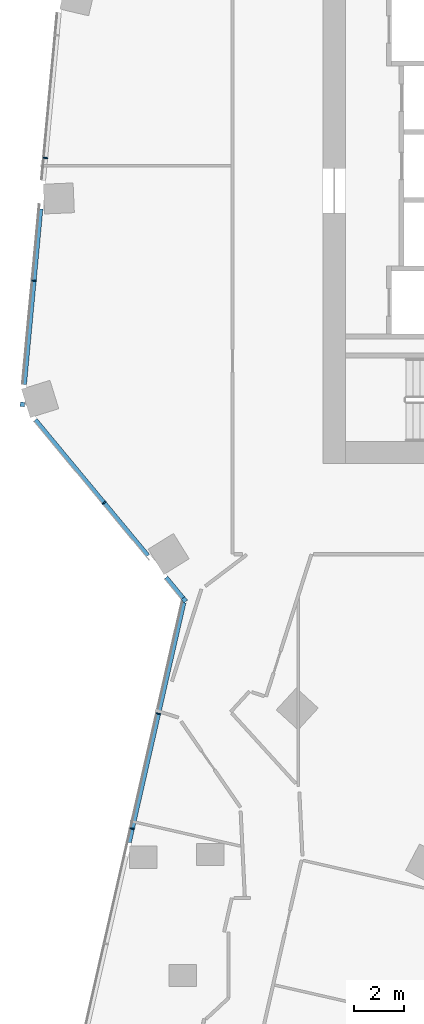
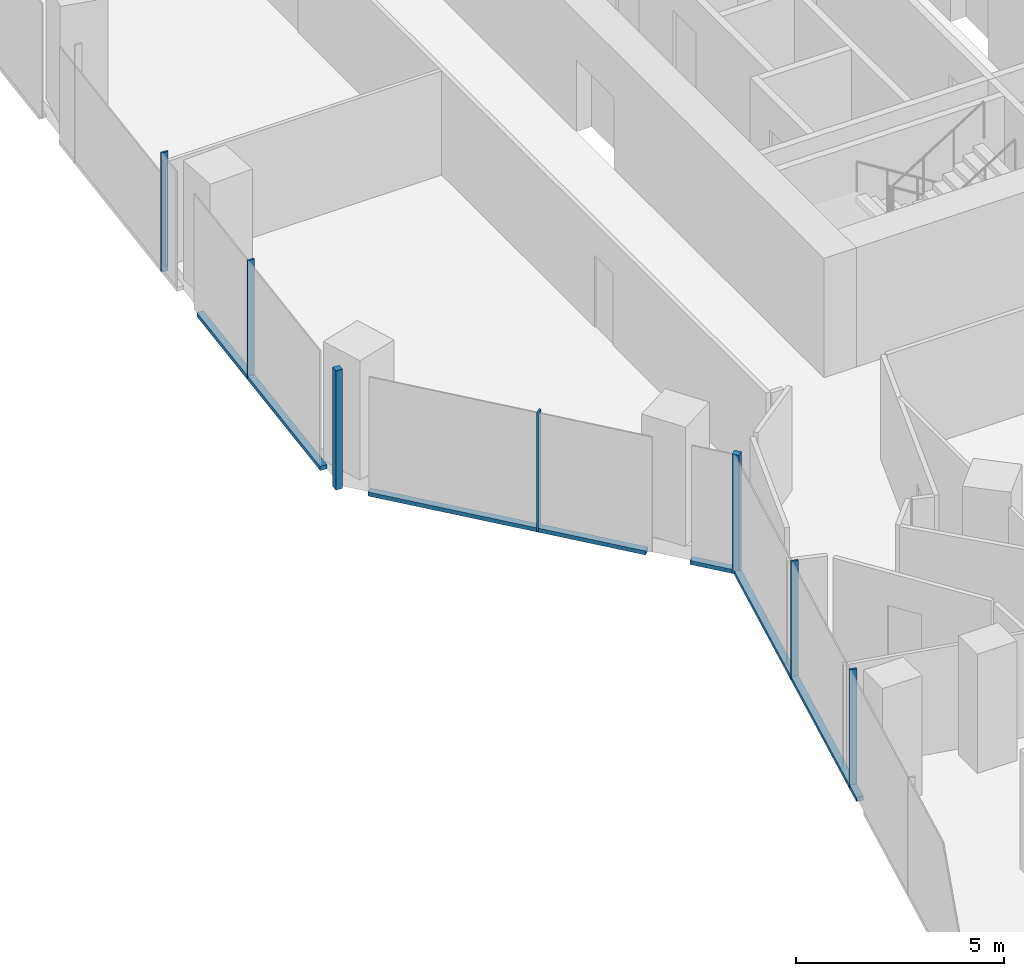
# One storey, part 7 of 23: 11 members, 3 elements without a shape of their own.
"""IFC4 building model written with IfcOpenShell, lengths in metres."""

from ifc_helpers import new_model, si_unit, direction, frame, origin, origin_2d, place, context, subcontext, project, spatial, rectangle, extrude, material, material_profile, profile_set, type_object, element, aggregate, save


model = new_model("IFC4")

# Units and contexts
model_context = context("Model", 3, precision=1e-05, world=origin(), true_north=direction((0.0, 1.0)))
body_context = subcontext(model_context, "Body", "Model", "MODEL_VIEW")
ifc_project = project(units=[si_unit("LENGTHUNIT", "METRE"), si_unit("AREAUNIT", "SQUARE_METRE"), si_unit("VOLUMEUNIT", "CUBIC_METRE"), si_unit("PLANEANGLEUNIT", "RADIAN"), si_unit("MASSUNIT", "GRAM", prefix="KILO")], contexts=[model_context])

# Site, building, storey
site_placement = place(None, origin())
site = spatial("IfcSite", under=ifc_project, at=site_placement, CompositionType="ELEMENT")
building_placement = place(site_placement, origin())
building = spatial("IfcBuilding", under=site, at=building_placement, Name="Orlundy Tower", CompositionType="ELEMENT")
storey_placement = place(building_placement, frame((0.0, 0.0, 181.10009765625)))
storey = spatial("IfcBuildingStorey", under=building, at=storey_placement, Name="L47", CompositionType="ELEMENT", Elevation=181.10009765625)

# Curtain wall, member
ifc_material_1 = material(Name="Aluminium bronze anodised", Category="aluminium")
curtain_wall_type = type_object("IfcCurtainWallType", Name="CW1 wall", PredefinedType="NOTDEFINED", material=ifc_material_1)
curtain_wall_1_placement = place(storey_placement, origin())
curtain_wall_1 = element("IfcCurtainWall", 1, at=curtain_wall_1_placement, inside=storey, type_object=curtain_wall_type, Name="CW1 run 01", PredefinedType="NOTDEFINED")
ifc_material_2 = material(Name="Aluminium bronze anodised", Category="aluminium")
ifc_material_profile_1 = material_profile(ifc_material_2, rectangle(XDim=0.179931640625, YDim=0.179931640625, at=origin_2d()), Name="CW1 corner post 180x180")
ifc_profile_set_1 = profile_set([ifc_material_profile_1], Name="Aluminium bronze anodised")
member_type_1 = type_object("IfcMemberType", Name="CW1 corner post 180x180", PredefinedType="MULLION", material=ifc_profile_set_1)
member_1_placement = place(storey_placement, frame((-24.588623046875, -17.4873046875, -0.420166015625), z_axis=(0.0, 0.0, 1.0), x_axis=(-0.769788399055, -0.638299162368, 0.0)))
member_1 = element("IfcMember", 2, at=member_1_placement, type_object=member_type_1, Name="CW1 mullion 7", PredefinedType="MULLION", context=body_context, shape_type="SweptSolid", body=[
    extrude(rectangle(XDim=0.179931640625, YDim=0.179931640625, at=origin_2d()), origin(), (0.0, 0.0, 1.0), 3.5),
])

curtain_wall_2_placement = place(storey_placement, origin())
curtain_wall_2 = element("IfcCurtainWall", 3, at=curtain_wall_2_placement, inside=storey, type_object=curtain_wall_type, Name="CW1 run 02", PredefinedType="NOTDEFINED")
member_2_placement = place(storey_placement, frame((-31.1181640625, -9.61279296875, -0.420166015625), z_axis=(0.0, 0.0, 1.0), x_axis=(-0.995670958136, 0.092948066811, 0.0)))
member_2 = element("IfcMember", 4, at=member_2_placement, type_object=member_type_1, Name="CW1 mullion 9", PredefinedType="MULLION", context=body_context, shape_type="SweptSolid", body=[
    extrude(rectangle(XDim=0.179931640625, YDim=0.179931640625, at=origin_2d()), origin(), (0.0, 0.0, 1.0), 3.5),
])

# Curtain wall, members
curtain_wall_3_placement = place(storey_placement, origin())
curtain_wall_3 = element("IfcCurtainWall", 5, at=curtain_wall_3_placement, inside=storey, type_object=curtain_wall_type, Name="CW1 run 00", PredefinedType="NOTDEFINED")
ifc_material_3 = material(Name="Aluminium bronze anodised", Category="aluminium")
ifc_material_profile_2 = material_profile(ifc_material_3, rectangle(XDim=0.179931640625, YDim=0.050048828125, at=origin_2d()), Name="CW1 mullion 50x180")
ifc_profile_set_2 = profile_set([ifc_material_profile_2], Name="Aluminium bronze anodised")
member_type_2 = type_object("IfcMemberType", Name="CW1 mullion 50x180", PredefinedType="MULLION", material=ifc_profile_set_2)
member_3_placement = place(storey_placement, frame((-26.691162109375, -26.71728515625, -0.420166015625), z_axis=(0.0, 0.0, 1.0), x_axis=(-0.97502463614, 0.222096733251, 0.0)))
member_3 = element("IfcMember", 6, at=member_3_placement, type_object=member_type_2, Name="CW1 mullion 5", PredefinedType="MULLION", context=body_context, shape_type="SweptSolid", body=[
    extrude(rectangle(XDim=0.179931640625, YDim=0.050048828125, at=origin_2d()), origin(), (0.0, 0.0, 1.0), 3.5),
])
member_4_placement = place(storey_placement, frame((-25.635009765625, -22.08056640625, -0.420166015625), z_axis=(0.0, 0.0, 1.0), x_axis=(-0.97502463614, 0.222096733251, 0.0)))
member_4 = element("IfcMember", 7, at=member_4_placement, type_object=member_type_2, Name="CW1 mullion 6", PredefinedType="MULLION", context=body_context, shape_type="SweptSolid", body=[
    extrude(rectangle(XDim=0.179931640625, YDim=0.050048828125, at=origin_2d()), origin(), (0.0, 0.0, 1.0), 3.5),
])

# Member
member_5_placement = place(storey_placement, frame((-27.827392578125, -13.58154296875, -0.420166015625), z_axis=(0.0, 0.0, 1.0), x_axis=(-0.769788399055, -0.638299162368, 0.0)))
member_5 = element("IfcMember", 8, at=member_5_placement, type_object=member_type_2, Name="CW1 mullion 8", PredefinedType="MULLION", context=body_context, shape_type="SweptSolid", body=[
    extrude(rectangle(XDim=0.179931640625, YDim=0.050048828125, at=origin_2d()), origin(), (0.0, 0.0, 1.0), 3.5),
])

member_6_placement = place(storey_placement, frame((-30.652587890625, -4.626708984375, -0.420166015625), z_axis=(0.0, 0.0, 1.0), x_axis=(-0.995670958136, 0.092948066811, 0.0)))
member_6 = element("IfcMember", 9, at=member_6_placement, type_object=member_type_2, Name="CW1 mullion 10", PredefinedType="MULLION", context=body_context, shape_type="SweptSolid", body=[
    extrude(rectangle(XDim=0.179931640625, YDim=0.050048828125, at=origin_2d()), origin(), (0.0, 0.0, 1.0), 3.5),
])

member_7_placement = place(storey_placement, frame((-30.190673828125, 0.322265625, -0.420166015625), z_axis=(0.0, 0.0, 1.0), x_axis=(-0.995670958136, 0.092948066811, 0.0)))
member_7 = element("IfcMember", 10, at=member_7_placement, type_object=member_type_2, Name="CW1 mullion 11", PredefinedType="MULLION", context=body_context, shape_type="SweptSolid", body=[
    extrude(rectangle(XDim=0.179931640625, YDim=0.050048828125, at=origin_2d()), origin(), (0.0, 0.0, 1.0), 3.5),
])

ifc_material_4 = material(Name="Aluminium bronze anodised", Category="aluminium")
ifc_material_profile_3 = material_profile(ifc_material_4, rectangle(XDim=0.179931640625, YDim=0.1201171875, at=origin_2d()), Name="CW1 transom 180x120")
ifc_profile_set_3 = profile_set([ifc_material_profile_3], Name="Aluminium bronze anodised")
member_type_3 = type_object("IfcMemberType", Name="CW1 transom 180x120", PredefinedType="USERDEFINED", material=ifc_profile_set_3)
member_8_placement = place(storey_placement, frame((-26.81640625, -27.26708984375, -0.360107421875), z_axis=(0.222109482771, 0.975021731893, 0.0), x_axis=(-0.975021731893, 0.222109482771, 0.0)))
member_8 = element("IfcMember", 11, at=member_8_placement, type_object=member_type_3, Name="CW1 transom", ObjectType="TRANSOM", PredefinedType="USERDEFINED", context=body_context, shape_type="SweptSolid", body=[
    extrude(rectangle(XDim=0.179931640625, YDim=0.1201171875, at=origin_2d()), origin(), (0.0, 0.0, 1.0), 9.9169921875),
])

aggregate(curtain_wall_3, [member_3, member_4, member_8])

member_9_placement = place(storey_placement, frame((-24.64599609375, -17.41796875, -0.360107421875), z_axis=(-0.638279962765, 0.769804318728, 0.0), x_axis=(-0.769804318728, -0.638279962765, 0.0)))
member_9 = element("IfcMember", 12, at=member_9_placement, type_object=member_type_3, Name="CW1 transom", ObjectType="TRANSOM", PredefinedType="USERDEFINED", context=body_context, shape_type="SweptSolid", body=[
    extrude(rectangle(XDim=0.179931640625, YDim=0.1201171875, at=origin_2d()), origin(), (0.0, 0.0, 1.0), 1.072998046875),
])

member_10_placement = place(storey_placement, frame((-26.0625, -15.709716796875, -0.360107421875), z_axis=(-0.63831452817, 0.769775657661, 0.0), x_axis=(-0.769775657661, -0.63831452817, 0.0)))
member_10 = element("IfcMember", 13, at=member_10_placement, type_object=member_type_3, Name="CW1 transom", ObjectType="TRANSOM", PredefinedType="USERDEFINED", context=body_context, shape_type="SweptSolid", body=[
    extrude(rectangle(XDim=0.179931640625, YDim=0.1201171875, at=origin_2d()), origin(), (0.0, 0.0, 1.0), 7.109130859375),
])

aggregate(curtain_wall_1, [member_1, member_5, member_9, member_10])

member_11_placement = place(storey_placement, frame((-31.04248046875, -8.803955078125, -0.360107421875), z_axis=(0.092945802311, 0.99567116953, 0.0), x_axis=(-0.99567116953, 0.092945802311, 0.0)))
member_11 = element("IfcMember", 14, at=member_11_placement, type_object=member_type_3, Name="CW1 transom", ObjectType="TRANSOM", PredefinedType="USERDEFINED", context=body_context, shape_type="SweptSolid", body=[
    extrude(rectangle(XDim=0.179931640625, YDim=0.1201171875, at=origin_2d()), origin(), (0.0, 0.0, 1.0), 7.105224609375),
])

aggregate(curtain_wall_2, [member_2, member_6, member_7, member_11])

save(model, "model.ifc")
